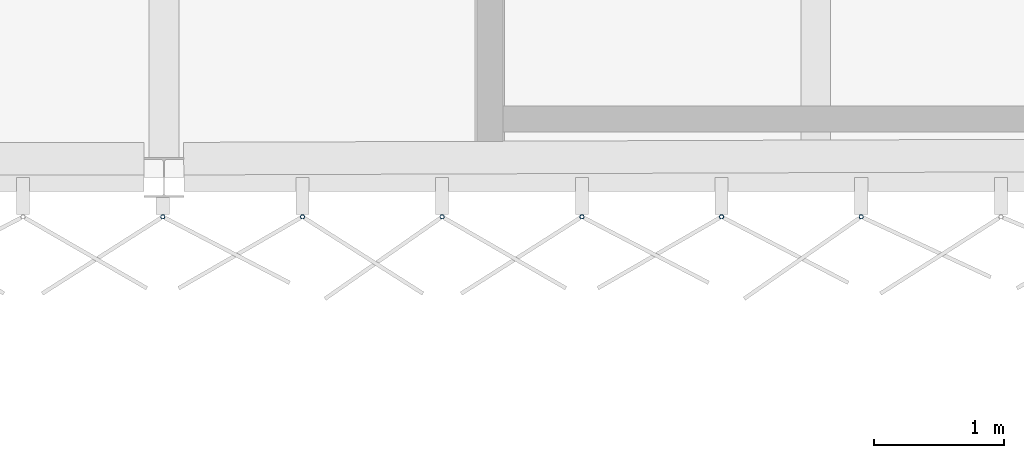
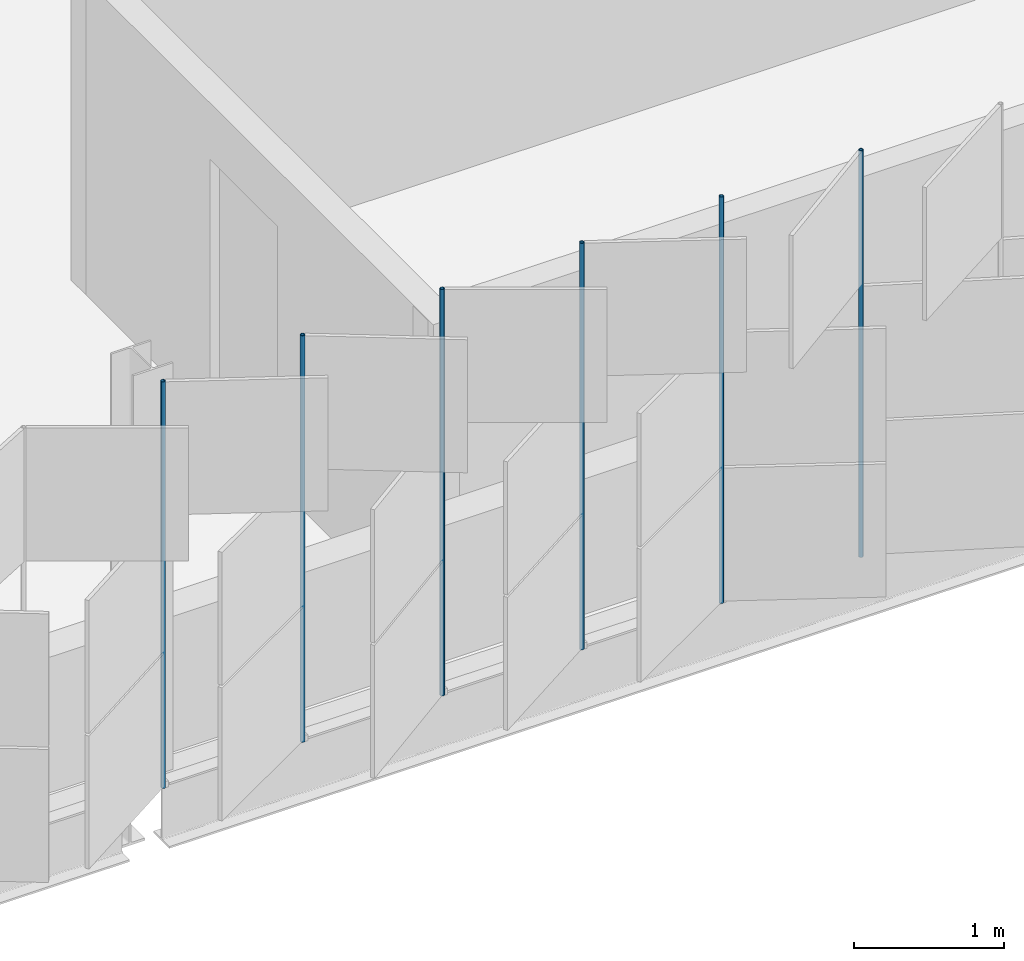
# One storey, part 80 of 198: 6 discrete accessories.
"""IFC4 building model written with IfcOpenShell, lengths in metres."""

from ifc_helpers import new_model, si_unit, direction, frame, origin, origin_2d, place, context, subcontext, project, spatial, hollow_circle, extrude, material, material_profile, profile_set, type_object, element, save


model = new_model("IFC4")

# Units and contexts
model_context = context("Model", 3, precision=1e-05, world=origin(), true_north=direction((0.0, 1.0)))
body_context = subcontext(model_context, "Body", "Model", "MODEL_VIEW")
ifc_project = project(units=[si_unit("LENGTHUNIT", "METRE"), si_unit("AREAUNIT", "SQUARE_METRE"), si_unit("VOLUMEUNIT", "CUBIC_METRE"), si_unit("PLANEANGLEUNIT", "RADIAN"), si_unit("MASSUNIT", "GRAM", prefix="KILO")], contexts=[model_context])

# Site, building, storey
site_placement = place(None, origin())
site = spatial("IfcSite", under=ifc_project, at=site_placement, CompositionType="ELEMENT")
building_placement = place(site_placement, origin())
building = spatial("IfcBuilding", under=site, at=building_placement, Name="Parallax Yard Mobility Hub", CompositionType="ELEMENT")
storey_placement = place(building_placement, frame((0.0, 0.0, 6.60009765625)))
storey = spatial("IfcBuildingStorey", under=building, at=storey_placement, Name="L02", CompositionType="ELEMENT", Elevation=6.60009765625)

# Discrete accessories
ifc_material = material(Name="Steel ASTM A500 Gr C, hot-dip galvanised", Category="steel")
ifc_material_profile = material_profile(ifc_material, hollow_circle(Radius=0.016845703125, WallThickness=0.003173828125, at=origin_2d()), Name="CHS 33.7x3.2")
ifc_profile_set = profile_set([ifc_material_profile], Name="Steel ASTM A500 Gr C, hot-dip galvanised")
discrete_accessory_type = type_object("IfcDiscreteAccessoryType", Name="Hinge post CHS 33.7x3.2", PredefinedType="BRACKET", material=ifc_profile_set)
for number, where, z_axis, x_axis, name in (
    (1, (112.490966796875, 112.199951171875, 0.0), (0.0, 0.0, 1.0), (1.0, 0.0, 0.0), "Hinge post bay 11.1 level L02"),
    (2, (113.5625, 112.199951171875, 0.0), (0.0, 0.0, 1.0), (1.0, 0.0, 0.0), "Hinge post bay 11.2 level L02"),
    (3, (114.634033203125, 112.199951171875, 0.0), (0.0, 0.0, 1.0), (1.0, 0.0, 0.0), "Hinge post bay 11.3 level L02"),
    (4, (115.70556640625, 112.199951171875, 0.0), (0.0, 0.0, 1.0), (1.0, 0.0, 0.0), "Hinge post bay 11.4 level L02"),
    (5, (116.777099609375, 112.199951171875, 0.0), (0.0, 0.0, 1.0), (1.0, 0.0, 0.0), "Hinge post bay 11.5 level L02"),
    (6, (117.848388671875, 112.199951171875, 0.0), (0.0, 0.0, 1.0), (1.0, 0.0, 0.0), "Hinge post bay 11.6 level L02"),
):
    element("IfcDiscreteAccessory", number, at=place(storey_placement, frame(where, z_axis=z_axis, x_axis=x_axis)), inside=storey, type_object=discrete_accessory_type, Name=name, PredefinedType="BRACKET", context=body_context, shape_type="SweptSolid", body=[
        extrude(hollow_circle(Radius=0.016845703125, WallThickness=0.003173828125, at=origin_2d()), origin(), (0.0, 0.0, 1.0), 3.2998046875),
    ])

save(model, "model.ifc")
